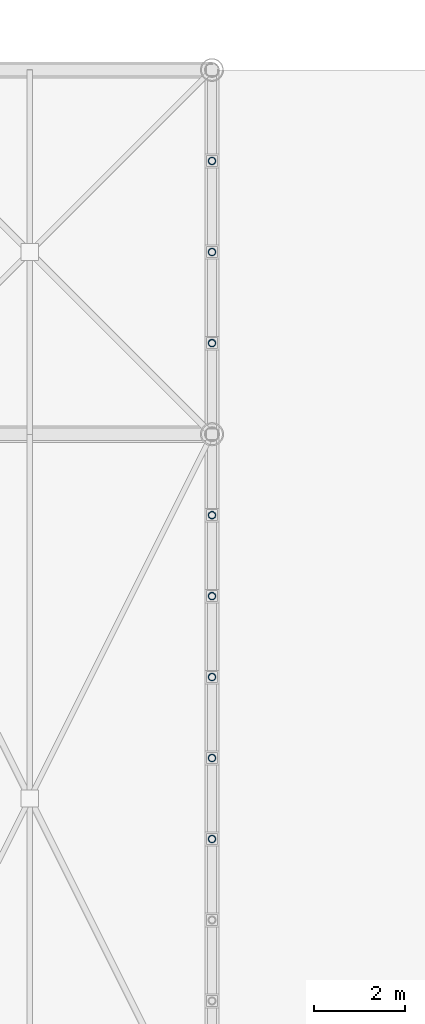
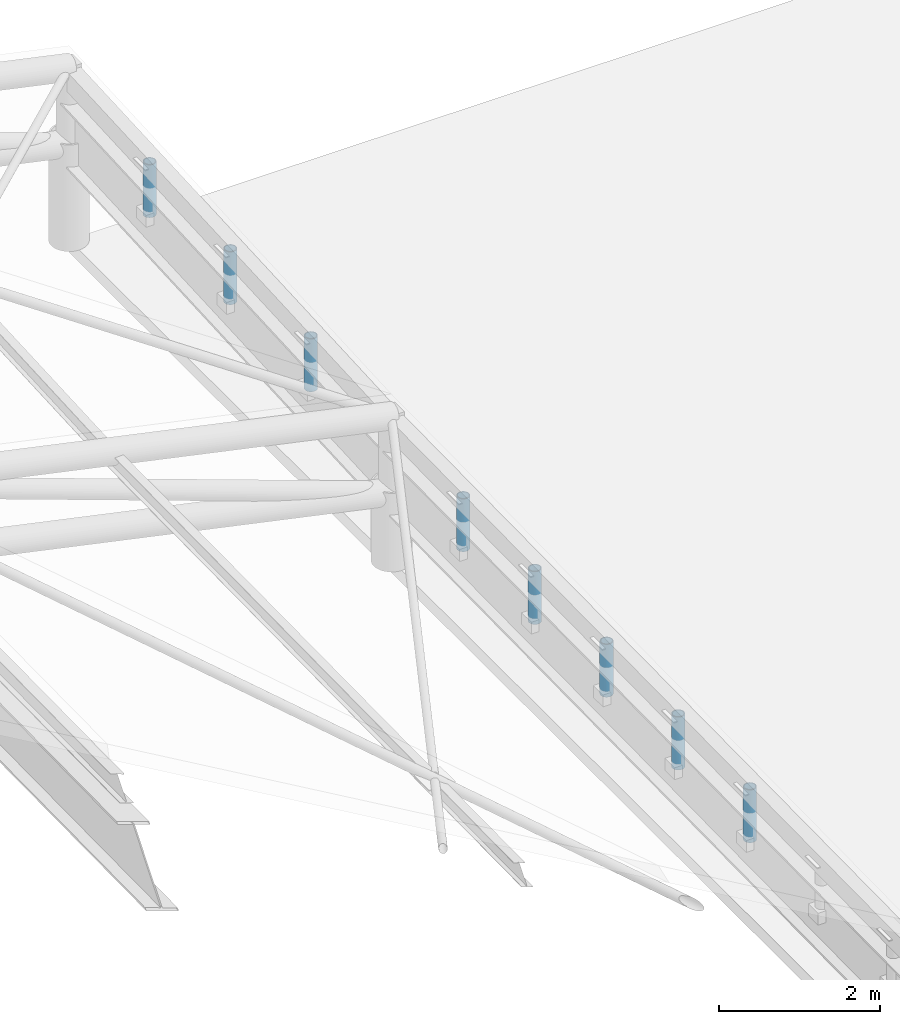
# One storey, part 29 of 54: 8 members.
"""IFC4 building model written with IfcOpenShell, lengths in metres."""

from ifc_helpers import new_model, si_unit, direction, frame, origin, origin_2d, place, context, subcontext, project, spatial, hollow_circle, extrude, material, material_profile, profile_set, type_object, element, save


model = new_model("IFC4")

# Units and contexts
model_context = context("Model", 3, precision=1e-05, world=origin(), true_north=direction((0.0, 1.0)))
body_context = subcontext(model_context, "Body", "Model", "MODEL_VIEW")
ifc_project = project(units=[si_unit("LENGTHUNIT", "METRE"), si_unit("AREAUNIT", "SQUARE_METRE"), si_unit("VOLUMEUNIT", "CUBIC_METRE"), si_unit("PLANEANGLEUNIT", "RADIAN"), si_unit("MASSUNIT", "GRAM", prefix="KILO")], contexts=[model_context])

# Site, building, storey
site_placement = place(None, origin())
site = spatial("IfcSite", under=ifc_project, at=site_placement, CompositionType="ELEMENT")
building_placement = place(site_placement, origin())
building = spatial("IfcBuilding", under=site, at=building_placement, Name="Haebicheon Civic Stadium", CompositionType="ELEMENT")
storey_placement = place(building_placement, frame((0.0, 0.0, 22.800048828125)))
storey = spatial("IfcBuildingStorey", under=building, at=storey_placement, Name="L06", CompositionType="ELEMENT", Elevation=22.800048828125)

# Members
ifc_material = material(Name="White painted steel SM490", Category="steel")
ifc_material_profile = material_profile(ifc_material, hollow_circle(Radius=0.084228515625, WallThickness=0.012451171875, at=origin_2d()), Name="CHS-168.3x12.5")
ifc_profile_set = profile_set([ifc_material_profile], Name="White painted steel SM490")
member_type = type_object("IfcMemberType", Name="HRD-CHS168", PredefinedType="USERDEFINED", material=ifc_profile_set)
member_1_placement = place(storey_placement, frame((208.0, 111.111083984375, 1.171875), z_axis=(0.0, 0.0, 1.0), x_axis=(1.0, 0.0, 0.0)))
element("IfcMember", 1, at=member_1_placement, inside=storey, type_object=member_type, material=ifc_profile_set, Name="CAN-COMM white vertical suspension rod 4.4", ObjectType="HANGER ROD", PredefinedType="USERDEFINED", context=body_context, shape_type="SweptSolid", body=[
    extrude(hollow_circle(Radius=0.084228515625, WallThickness=0.012451171875, at=origin_2d()), origin(), (0.0, 0.0, 1.0), 0.800048828125),
])
member_2_placement = place(storey_placement, frame((208.0, 112.888916015625, 1.196044921875), z_axis=(0.0, 0.0, 1.0), x_axis=(1.0, 0.0, 0.0)))
element("IfcMember", 2, at=member_2_placement, inside=storey, type_object=member_type, material=ifc_profile_set, Name="CAN-COMM white vertical suspension rod 4.5", ObjectType="HANGER ROD", PredefinedType="USERDEFINED", context=body_context, shape_type="SweptSolid", body=[
    extrude(hollow_circle(Radius=0.084228515625, WallThickness=0.012451171875, at=origin_2d()), origin(), (0.0, 0.0, 1.0), 0.7998046875),
])
for number, where, z_axis, x_axis, name in (
    (3, (208.0, 114.6669921875, 1.218994140625), (0.0, 0.0, 1.0), (1.0, 0.0, 0.0), "CAN-COMM white vertical suspension rod 4.6"),
    (4, (208.0, 116.444091796875, 1.242919921875), (0.0, 0.0, 1.0), (1.0, 0.0, 0.0), "CAN-COMM white vertical suspension rod 4.7"),
    (5, (208.0, 118.221923828125, 1.265869140625), (0.0, 0.0, 1.0), (1.0, 0.0, 0.0), "CAN-COMM white vertical suspension rod 4.8"),
    (6, (208.0, 122.0, 1.39599609375), (0.0, 0.0, 1.0), (1.0, 0.0, 0.0), "CAN-COMM white vertical suspension rod 5.1"),
    (7, (208.0, 124.0, 1.5009765625), (0.0, 0.0, 1.0), (1.0, 0.0, 0.0), "CAN-COMM white vertical suspension rod 5.2"),
    (8, (208.0, 126.0, 1.60595703125), (0.0, 0.0, 1.0), (1.0, 0.0, 0.0), "CAN-COMM white vertical suspension rod 5.3"),
):
    element("IfcMember", number, at=place(storey_placement, frame(where, z_axis=z_axis, x_axis=x_axis)), inside=storey, type_object=member_type, material=ifc_profile_set, Name=name, ObjectType="HANGER ROD", PredefinedType="USERDEFINED", context=body_context, shape_type="SweptSolid", body=[
        extrude(hollow_circle(Radius=0.084228515625, WallThickness=0.012451171875, at=origin_2d()), origin(), (0.0, 0.0, 1.0), 0.800048828125),
    ])

save(model, "model.ifc")
